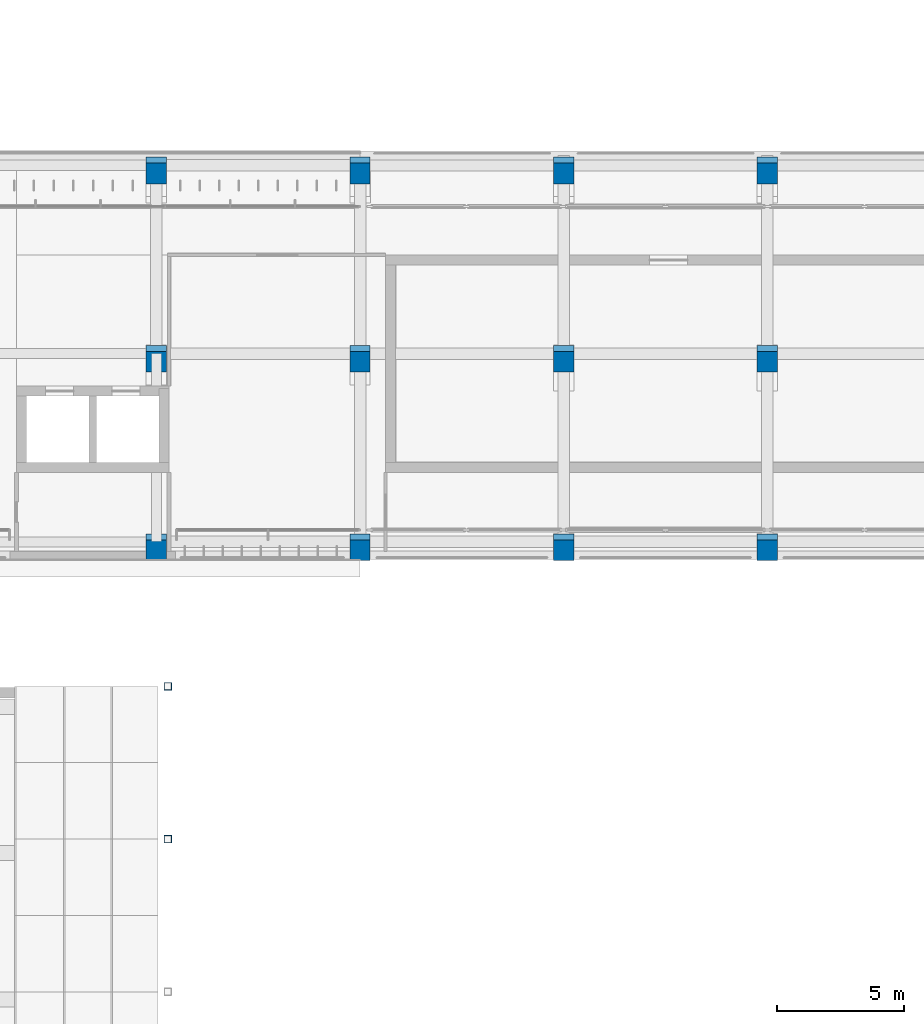
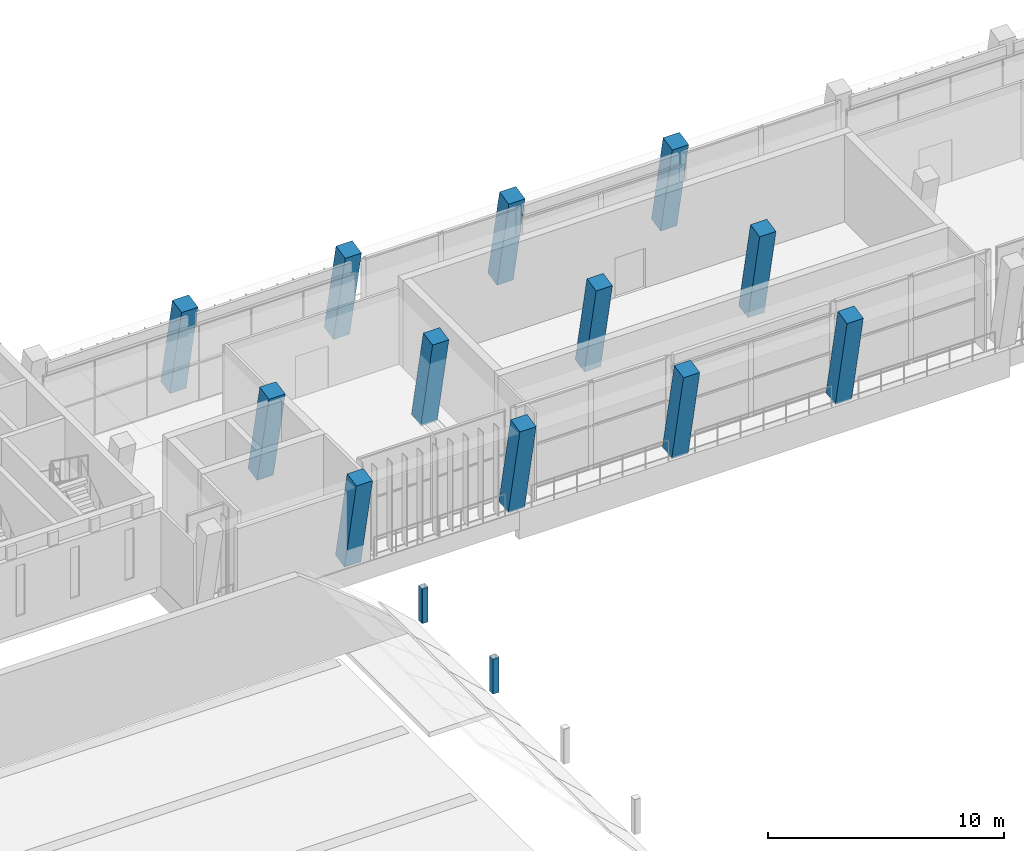
# One storey, part 4 of 89: 14 columns.
"""IFC4 building model written with IfcOpenShell, lengths in metres."""

from ifc_helpers import new_model, si_unit, direction, frame, origin, origin_2d, place, context, subcontext, project, spatial, rectangle, hollow_rectangle, extrude, material, material_profile, profile_set, type_object, element, save


model = new_model("IFC4")

# Units and contexts
model_context = context("Model", 3, precision=1e-05, world=origin(), true_north=direction((0.0, 1.0)))
body_context = subcontext(model_context, "Body", "Model", "MODEL_VIEW")
ifc_project = project(units=[si_unit("LENGTHUNIT", "METRE"), si_unit("AREAUNIT", "SQUARE_METRE"), si_unit("VOLUMEUNIT", "CUBIC_METRE"), si_unit("PLANEANGLEUNIT", "RADIAN"), si_unit("MASSUNIT", "GRAM", prefix="KILO")], contexts=[model_context])

# Site, building, storey
site_placement = place(None, origin())
site = spatial("IfcSite", under=ifc_project, at=site_placement, CompositionType="ELEMENT")
building_placement = place(site_placement, origin())
building = spatial("IfcBuilding", under=site, at=building_placement, Name="Lantern Court Media Centre", CompositionType="ELEMENT")
storey_placement = place(building_placement, frame((0.0, 0.0, 14.39990234375)))
storey = spatial("IfcBuildingStorey", under=building, at=storey_placement, Name="L03", CompositionType="ELEMENT", Elevation=14.39990234375)

# Columns
ifc_material_1 = material(Name="Steel S355J2 (EN 10025-2)", Category="steel")
ifc_material_profile_1 = material_profile(ifc_material_1, hollow_rectangle(XDim=0.300048828125, YDim=0.300048828125, WallThickness=0.012451171875, InnerFilletRadius=0.012451171875, OuterFilletRadius=0.018798828125, at=origin_2d()), Name="Cinema Hall buttress pinnacle SHS 300x12.5")
ifc_profile_set_1 = profile_set([ifc_material_profile_1], Name="Steel S355J2 (EN 10025-2)")
column_type_1 = type_object("IfcColumnType", Name="Cinema Hall buttress pinnacle SHS 300x12.5", PredefinedType="COLUMN", material=ifc_profile_set_1)
for number, where, z_axis, x_axis, name in (
    (1, (32.4501953125, 34.0, 0.0), (0.0, 0.0, 1.0), (1.0, 0.0, 0.0), "Cinema Hall pinnacle east 7"),
    (2, (32.4501953125, 40.0, 0.0), (0.0, 0.0, 1.0), (1.0, 0.0, 0.0), "Cinema Hall pinnacle east 8"),
):
    element("IfcColumn", number, at=place(storey_placement, frame(where, z_axis=z_axis, x_axis=x_axis)), inside=storey, type_object=column_type_1, Name=name, PredefinedType="COLUMN", context=body_context, shape_type="SweptSolid", body=[
        extrude(hollow_rectangle(XDim=0.300048828125, YDim=0.300048828125, WallThickness=0.012451171875, InnerFilletRadius=0.012451171875, OuterFilletRadius=0.018798828125, at=origin_2d()), origin(), (0.0, 0.0, 1.0), 1.800048828125),
    ])
ifc_material_2 = material(Name="Concrete C35", Category="concrete")
ifc_material_profile_2 = material_profile(ifc_material_2, rectangle(XDim=0.800048828125, YDim=0.800048828125, at=origin_2d()), Name="RC 800x800")
ifc_profile_set_2 = profile_set([ifc_material_profile_2], Name="Concrete C35")
column_type_2 = type_object("IfcColumnType", Name="RC COLUMN 800x800", PredefinedType="COLUMN", material=ifc_profile_set_2)
for number, where, z_axis, x_axis, name in (
    (3, (32.0, 45.60009765625, 0.0), (0.0, -0.203952265704, 0.978980833987), (1.0, 0.0, 0.0), "C-S-0-1-L03"),
    (4, (40.0, 45.60009765625, 0.0), (0.0, -0.203952265704, 0.978980833987), (1.0, 0.0, 0.0), "C-S-0-2-L03"),
    (5, (48.0, 45.60009765625, 0.0), (0.0, -0.203952265704, 0.978980833987), (1.0, 0.0, 0.0), "C-S-0-3-L03"),
    (6, (56.0, 45.60009765625, 0.0), (0.0, -0.203952265704, 0.978980833987), (1.0, 0.0, 0.0), "C-S-0-4-L03"),
    (7, (32.0, 53.0, 0.0), (0.0, -0.203952265704, 0.978980833987), (1.0, 0.0, 0.0), "C-S-1-1-L03"),
    (8, (40.0, 53.0, 0.0), (0.0, -0.203952265704, 0.978980833987), (1.0, 0.0, 0.0), "C-S-1-2-L03"),
    (9, (48.0, 53.0, 0.0), (0.0, -0.203952265704, 0.978980833987), (1.0, 0.0, 0.0), "C-S-1-3-L03"),
    (10, (56.0, 53.0, 0.0), (0.0, -0.203952265704, 0.978980833987), (1.0, 0.0, 0.0), "C-S-1-4-L03"),
    (11, (32.0, 60.39990234375, 0.0), (0.0, -0.203952265704, 0.978980833987), (1.0, 0.0, 0.0), "C-S-2-1-L03"),
    (12, (40.0, 60.39990234375, 0.0), (0.0, -0.203952265704, 0.978980833987), (1.0, 0.0, 0.0), "C-S-2-2-L03"),
    (13, (48.0, 60.39990234375, 0.0), (0.0, -0.203952265704, 0.978980833987), (1.0, 0.0, 0.0), "C-S-2-3-L03"),
    (14, (56.0, 60.39990234375, 0.0), (0.0, -0.203952265704, 0.978980833987), (1.0, 0.0, 0.0), "C-S-2-4-L03"),
):
    element("IfcColumn", number, at=place(storey_placement, frame(where, z_axis=z_axis, x_axis=x_axis)), inside=storey, type_object=column_type_2, Name=name, PredefinedType="COLUMN", context=body_context, shape_type="SweptSolid", body=[
        extrude(rectangle(XDim=0.800048828125, YDim=0.800048828125, at=origin_2d()), origin(), (0.0, 0.0, 1.0), 4.903076171875),
    ])

save(model, "model.ifc")
